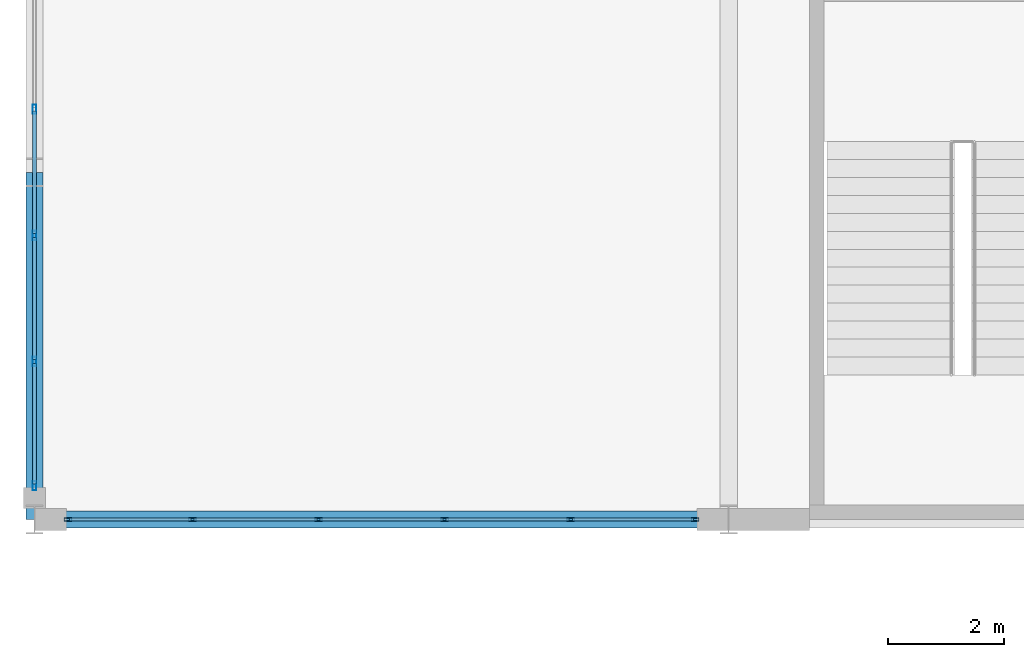
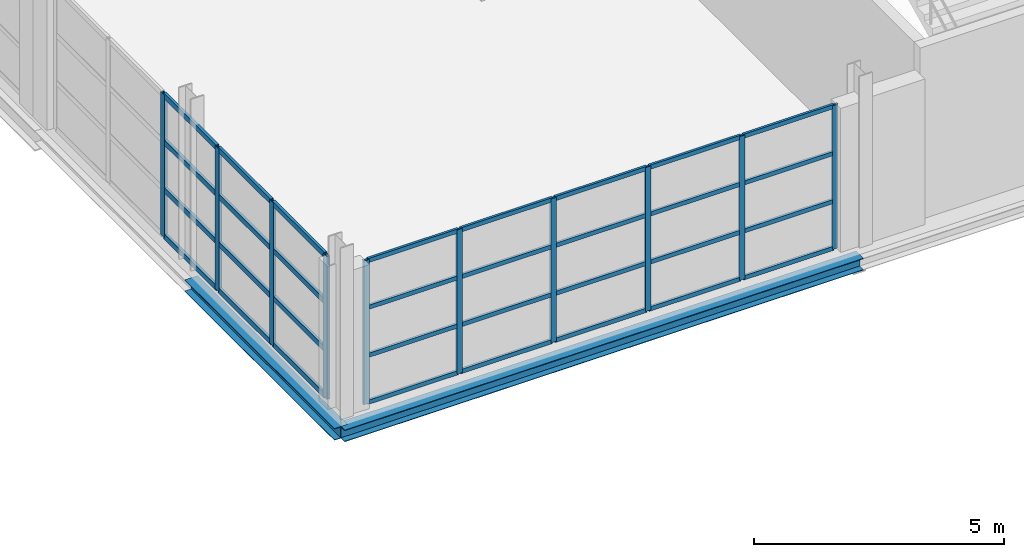
# One storey, part 29 of 158: 42 members, 2 beams, 2 elements without a shape of their own.
"""IFC4 building model written with IfcOpenShell, lengths in metres."""

from ifc_helpers import new_model, si_unit, direction, frame, origin, origin_2d, place, context, subcontext, project, spatial, hollow_rectangle, i_section, extrude, material, layer, layer_set, material_profile, profile_set, type_object, element, aggregate, save


model = new_model("IFC4")

# Units and contexts
model_context = context("Model", 3, precision=1e-05, world=origin(), true_north=direction((0.0, 1.0)))
body_context = subcontext(model_context, "Body", "Model", "MODEL_VIEW")
ifc_project = project(units=[si_unit("LENGTHUNIT", "METRE"), si_unit("AREAUNIT", "SQUARE_METRE"), si_unit("VOLUMEUNIT", "CUBIC_METRE"), si_unit("PLANEANGLEUNIT", "RADIAN"), si_unit("MASSUNIT", "GRAM", prefix="KILO")], contexts=[model_context])

# Site, building, storey
site_placement = place(None, origin())
site = spatial("IfcSite", under=ifc_project, at=site_placement, CompositionType="ELEMENT")
building_placement = place(site_placement, origin())
building = spatial("IfcBuilding", under=site, at=building_placement, Name="Zilviju Railside Exhibition Hall", CompositionType="ELEMENT")
storey_placement = place(building_placement, frame((0.0, 0.0, 4.199951171875)))
storey = spatial("IfcBuildingStorey", under=building, at=storey_placement, Name="L02", CompositionType="ELEMENT", Elevation=4.199951171875)

# Beams
ifc_material_1 = material(Name="Steel S355J2", Category="steel")
ifc_material_profile_1 = material_profile(ifc_material_1, i_section(OverallWidth=0.300048828125, OverallDepth=0.2900390625, WebThickness=0.008544921875, FlangeThickness=0.013916015625, at=origin_2d()), Name="HEA 300")
ifc_profile_set_1 = profile_set([ifc_material_profile_1], Name="Steel S355J2")
beam_type = type_object("IfcBeamType", Name="BM-HEA300", PredefinedType="SPANDREL", material=ifc_profile_set_1)
beam_1_placement = place(storey_placement, frame((0.0, 36.0, -0.5048828125), z_axis=(1.0, 0.0, 0.0), x_axis=(0.0, 1.0, 0.0)))
element("IfcBeam", 1, at=beam_1_placement, inside=storey, type_object=beam_type, Name="Primary Girder L02 Y=36.0 (0.0..12.0)", PredefinedType="SPANDREL", context=body_context, shape_type="SweptSolid", body=[
    extrude(i_section(OverallWidth=0.300048828125, OverallDepth=0.2900390625, WebThickness=0.008544921875, FlangeThickness=0.013916015625, at=origin_2d()), origin(), (0.0, 0.0, 1.0), 12.0),
])
beam_2_placement = place(storey_placement, frame((0.0, 36.0, -0.5048828125), z_axis=(0.0, 1.0, 0.0), x_axis=(-1.0, 0.0, 0.0)))
element("IfcBeam", 2, at=beam_2_placement, inside=storey, type_object=beam_type, Name="Transverse Girder L02 X=0.0 (36.0..42.0)", PredefinedType="SPANDREL", context=body_context, shape_type="SweptSolid", body=[
    extrude(i_section(OverallWidth=0.300048828125, OverallDepth=0.2900390625, WebThickness=0.008544921875, FlangeThickness=0.013916015625, at=origin_2d()), origin(), (0.0, 0.0, 1.0), 6.0),
])

# Curtain wall, members
ifc_material_2 = material(Name="Thermally broken aluminium-steel triple-glazed curtain wall", Category="steel")
ifc_layer_1 = layer(ifc_material_2, 0.179931640625)
ifc_layer_set_1 = layer_set([ifc_layer_1], Name="Thermally broken aluminium-steel triple-glazed curtain wall")
curtain_wall_type_1 = type_object("IfcCurtainWallType", Name="CW-BAY-16", PredefinedType="USERDEFINED", material=ifc_layer_set_1)
curtain_wall_1_placement = place(storey_placement, origin())
curtain_wall_1 = element("IfcCurtainWall", 3, at=curtain_wall_1_placement, inside=storey, type_object=curtain_wall_type_1, Name="Congress Forecourt Curtain Wall L02 (0..12)", ObjectType="GLAZED CURTAIN WALL", PredefinedType="USERDEFINED")
ifc_material_3 = material(Name="Thermally broken anodized aluminium mullion", Category="aluminium")
ifc_material_profile_2 = material_profile(ifc_material_3, hollow_rectangle(XDim=0.054931640625, YDim=0.1298828125, WallThickness=0.0048828125, at=origin_2d()), Name="MULLION 130x55x5")
ifc_profile_set_2 = profile_set([ifc_material_profile_2], Name="Thermally broken anodized aluminium mullion")
member_type_1 = type_object("IfcMemberType", Name="CWM-55x130", PredefinedType="MULLION", material=ifc_profile_set_2)
member_1_placement = place(storey_placement, frame((11.422607421875, 36.0, 0.0), z_axis=(0.0, 0.0, 1.0), x_axis=(0.0, -1.0, 0.0)))
member_1 = element("IfcMember", 4, at=member_1_placement, type_object=member_type_1, Name="CW-16 mullion 1", PredefinedType="MULLION", context=body_context, shape_type="SweptSolid", body=[
    extrude(hollow_rectangle(XDim=0.054931640625, YDim=0.1298828125, WallThickness=0.0048828125, at=origin_2d()), origin(), (0.0, 0.0, 1.0), 3.52001953125),
])
member_2_placement = place(storey_placement, frame((9.27001953125, 36.0, 0.0), z_axis=(0.0, 0.0, 1.0), x_axis=(0.0, -1.0, 0.0)))
member_2 = element("IfcMember", 5, at=member_2_placement, type_object=member_type_1, Name="CW-16 mullion 2", PredefinedType="MULLION", context=body_context, shape_type="SweptSolid", body=[
    extrude(hollow_rectangle(XDim=0.054931640625, YDim=0.1298828125, WallThickness=0.0048828125, at=origin_2d()), origin(), (0.0, 0.0, 1.0), 3.52001953125),
])
member_3_placement = place(storey_placement, frame((7.090087890625, 36.0, 0.0), z_axis=(0.0, 0.0, 1.0), x_axis=(0.0, -1.0, 0.0)))
member_3 = element("IfcMember", 6, at=member_3_placement, type_object=member_type_1, Name="CW-16 mullion 3", PredefinedType="MULLION", context=body_context, shape_type="SweptSolid", body=[
    extrude(hollow_rectangle(XDim=0.054931640625, YDim=0.1298828125, WallThickness=0.0048828125, at=origin_2d()), origin(), (0.0, 0.0, 1.0), 3.52001953125),
])
member_4_placement = place(storey_placement, frame((4.909912109375, 36.0, 0.0), z_axis=(0.0, 0.0, 1.0), x_axis=(0.0, -1.0, 0.0)))
member_4 = element("IfcMember", 7, at=member_4_placement, type_object=member_type_1, Name="CW-16 mullion 4", PredefinedType="MULLION", context=body_context, shape_type="SweptSolid", body=[
    extrude(hollow_rectangle(XDim=0.054931640625, YDim=0.1298828125, WallThickness=0.0048828125, at=origin_2d()), origin(), (0.0, 0.0, 1.0), 3.52001953125),
])
member_5_placement = place(storey_placement, frame((2.72998046875, 36.0, 0.0), z_axis=(0.0, 0.0, 1.0), x_axis=(0.0, -1.0, 0.0)))
member_5 = element("IfcMember", 8, at=member_5_placement, type_object=member_type_1, Name="CW-16 mullion 5", PredefinedType="MULLION", context=body_context, shape_type="SweptSolid", body=[
    extrude(hollow_rectangle(XDim=0.054931640625, YDim=0.1298828125, WallThickness=0.0048828125, at=origin_2d()), origin(), (0.0, 0.0, 1.0), 3.52001953125),
])
member_6_placement = place(storey_placement, frame((0.577392578125, 36.0, 0.0), z_axis=(0.0, 0.0, 1.0), x_axis=(0.0, -1.0, 0.0)))
member_6 = element("IfcMember", 9, at=member_6_placement, type_object=member_type_1, Name="CW-16 mullion 6", PredefinedType="MULLION", context=body_context, shape_type="SweptSolid", body=[
    extrude(hollow_rectangle(XDim=0.054931640625, YDim=0.1298828125, WallThickness=0.0048828125, at=origin_2d()), origin(), (0.0, 0.0, 1.0), 3.52001953125),
])

ifc_layer_2 = layer(ifc_material_2, 0.179931640625)
ifc_layer_set_2 = layer_set([ifc_layer_2], Name="Thermally broken aluminium-steel triple-glazed curtain wall")
curtain_wall_type_2 = type_object("IfcCurtainWallType", Name="CW-BAY-18", PredefinedType="USERDEFINED", material=ifc_layer_set_2)
curtain_wall_2_placement = place(storey_placement, origin())
curtain_wall_2 = element("IfcCurtainWall", 10, at=curtain_wall_2_placement, inside=storey, type_object=curtain_wall_type_2, Name="Congress Crush Foyer Boulevard Curtain Wall L02 (36..48)", ObjectType="GLAZED CURTAIN WALL", PredefinedType="USERDEFINED")
ifc_material_profile_3 = material_profile(ifc_material_3, hollow_rectangle(XDim=0.06494140625, YDim=0.159912109375, WallThickness=0.0048828125, at=origin_2d()), Name="MULLION 160x65x5")
ifc_profile_set_3 = profile_set([ifc_material_profile_3], Name="Thermally broken anodized aluminium mullion")
member_type_2 = type_object("IfcMemberType", Name="CWM-65x160", PredefinedType="MULLION", material=ifc_profile_set_3)
member_7_placement = place(storey_placement, frame((0.0, 36.58251953125, 0.0), z_axis=(0.0, 0.0, 1.0), x_axis=(-1.0, 0.0, 0.0)))
member_7 = element("IfcMember", 11, at=member_7_placement, type_object=member_type_2, Name="CW-18 mullion 1", PredefinedType="MULLION", context=body_context, shape_type="SweptSolid", body=[
    extrude(hollow_rectangle(XDim=0.06494140625, YDim=0.159912109375, WallThickness=0.0048828125, at=origin_2d()), origin(), (0.0, 0.0, 1.0), 3.5),
])
member_8_placement = place(storey_placement, frame((0.0, 38.72998046875, 0.0), z_axis=(0.0, 0.0, 1.0), x_axis=(-1.0, 0.0, 0.0)))
member_8 = element("IfcMember", 12, at=member_8_placement, type_object=member_type_2, Name="CW-18 mullion 2", PredefinedType="MULLION", context=body_context, shape_type="SweptSolid", body=[
    extrude(hollow_rectangle(XDim=0.06494140625, YDim=0.159912109375, WallThickness=0.0048828125, at=origin_2d()), origin(), (0.0, 0.0, 1.0), 3.5),
])
member_9_placement = place(storey_placement, frame((0.0, 40.909912109375, 0.0), z_axis=(0.0, 0.0, 1.0), x_axis=(-1.0, 0.0, 0.0)))
member_9 = element("IfcMember", 13, at=member_9_placement, type_object=member_type_2, Name="CW-18 mullion 3", PredefinedType="MULLION", context=body_context, shape_type="SweptSolid", body=[
    extrude(hollow_rectangle(XDim=0.06494140625, YDim=0.159912109375, WallThickness=0.0048828125, at=origin_2d()), origin(), (0.0, 0.0, 1.0), 3.5),
])
member_10_placement = place(storey_placement, frame((0.0, 43.090087890625, 0.0), z_axis=(0.0, 0.0, 1.0), x_axis=(-1.0, 0.0, 0.0)))
member_10 = element("IfcMember", 14, at=member_10_placement, type_object=member_type_2, Name="CW-18 mullion 4", PredefinedType="MULLION", context=body_context, shape_type="SweptSolid", body=[
    extrude(hollow_rectangle(XDim=0.06494140625, YDim=0.159912109375, WallThickness=0.0048828125, at=origin_2d()), origin(), (0.0, 0.0, 1.0), 3.5),
])

# Member
ifc_material_4 = material(Name="Thermally broken anodized aluminium transom", Category="aluminium")
ifc_material_profile_4 = material_profile(ifc_material_4, hollow_rectangle(XDim=0.054931640625, YDim=0.10498046875, WallThickness=0.0048828125, at=origin_2d()), Name="TRANSOM 105x55x5")
ifc_profile_set_4 = profile_set([ifc_material_profile_4], Name="Thermally broken anodized aluminium transom")
member_type_3 = type_object("IfcMemberType", Name="CWT-55x105", PredefinedType="USERDEFINED", material=ifc_profile_set_4)
member_11_placement = place(storey_placement, frame((11.39501953125, 36.0, 0.027587890625), z_axis=(-1.0, 0.0, 0.0), x_axis=(0.0, -1.0, 0.0)))
member_11 = element("IfcMember", 15, at=member_11_placement, type_object=member_type_3, Name="CW-16 transom 1.1", ObjectType="TRANSOM", PredefinedType="USERDEFINED", context=body_context, shape_type="SweptSolid", body=[
    extrude(hollow_rectangle(XDim=0.054931640625, YDim=0.10498046875, WallThickness=0.0048828125, at=origin_2d()), origin(), (0.0, 0.0, 1.0), 2.097412109375),
])

member_12_placement = place(storey_placement, frame((11.39501953125, 36.0, 1.173095703125), z_axis=(-1.0, 0.0, 0.0), x_axis=(0.0, -1.0, 0.0)))
member_12 = element("IfcMember", 16, at=member_12_placement, type_object=member_type_3, Name="CW-16 transom 1.2", ObjectType="TRANSOM", PredefinedType="USERDEFINED", context=body_context, shape_type="SweptSolid", body=[
    extrude(hollow_rectangle(XDim=0.054931640625, YDim=0.10498046875, WallThickness=0.0048828125, at=origin_2d()), origin(), (0.0, 0.0, 1.0), 2.097412109375),
])

member_13_placement = place(storey_placement, frame((11.39501953125, 36.0, 2.34716796875), z_axis=(-1.0, 0.0, 0.0), x_axis=(0.0, -1.0, 0.0)))
member_13 = element("IfcMember", 17, at=member_13_placement, type_object=member_type_3, Name="CW-16 transom 1.3", ObjectType="TRANSOM", PredefinedType="USERDEFINED", context=body_context, shape_type="SweptSolid", body=[
    extrude(hollow_rectangle(XDim=0.054931640625, YDim=0.10498046875, WallThickness=0.0048828125, at=origin_2d()), origin(), (0.0, 0.0, 1.0), 2.097412109375),
])

member_14_placement = place(storey_placement, frame((11.39501953125, 36.0, 3.492431640625), z_axis=(-1.0, 0.0, 0.0), x_axis=(0.0, -1.0, 0.0)))
member_14 = element("IfcMember", 18, at=member_14_placement, type_object=member_type_3, Name="CW-16 transom 1.4", ObjectType="TRANSOM", PredefinedType="USERDEFINED", context=body_context, shape_type="SweptSolid", body=[
    extrude(hollow_rectangle(XDim=0.054931640625, YDim=0.10498046875, WallThickness=0.0048828125, at=origin_2d()), origin(), (0.0, 0.0, 1.0), 2.097412109375),
])

member_15_placement = place(storey_placement, frame((9.242431640625, 36.0, 0.027587890625), z_axis=(-1.0, 0.0, 0.0), x_axis=(0.0, -1.0, 0.0)))
member_15 = element("IfcMember", 19, at=member_15_placement, type_object=member_type_3, Name="CW-16 transom 2.1", ObjectType="TRANSOM", PredefinedType="USERDEFINED", context=body_context, shape_type="SweptSolid", body=[
    extrude(hollow_rectangle(XDim=0.054931640625, YDim=0.10498046875, WallThickness=0.0048828125, at=origin_2d()), origin(), (0.0, 0.0, 1.0), 2.125),
])

member_16_placement = place(storey_placement, frame((9.242431640625, 36.0, 1.173095703125), z_axis=(-1.0, 0.0, 0.0), x_axis=(0.0, -1.0, 0.0)))
member_16 = element("IfcMember", 20, at=member_16_placement, type_object=member_type_3, Name="CW-16 transom 2.2", ObjectType="TRANSOM", PredefinedType="USERDEFINED", context=body_context, shape_type="SweptSolid", body=[
    extrude(hollow_rectangle(XDim=0.054931640625, YDim=0.10498046875, WallThickness=0.0048828125, at=origin_2d()), origin(), (0.0, 0.0, 1.0), 2.125),
])

member_17_placement = place(storey_placement, frame((9.242431640625, 36.0, 2.34716796875), z_axis=(-1.0, 0.0, 0.0), x_axis=(0.0, -1.0, 0.0)))
member_17 = element("IfcMember", 21, at=member_17_placement, type_object=member_type_3, Name="CW-16 transom 2.3", ObjectType="TRANSOM", PredefinedType="USERDEFINED", context=body_context, shape_type="SweptSolid", body=[
    extrude(hollow_rectangle(XDim=0.054931640625, YDim=0.10498046875, WallThickness=0.0048828125, at=origin_2d()), origin(), (0.0, 0.0, 1.0), 2.125),
])

member_18_placement = place(storey_placement, frame((9.242431640625, 36.0, 3.492431640625), z_axis=(-1.0, 0.0, 0.0), x_axis=(0.0, -1.0, 0.0)))
member_18 = element("IfcMember", 22, at=member_18_placement, type_object=member_type_3, Name="CW-16 transom 2.4", ObjectType="TRANSOM", PredefinedType="USERDEFINED", context=body_context, shape_type="SweptSolid", body=[
    extrude(hollow_rectangle(XDim=0.054931640625, YDim=0.10498046875, WallThickness=0.0048828125, at=origin_2d()), origin(), (0.0, 0.0, 1.0), 2.125),
])

member_19_placement = place(storey_placement, frame((7.0625, 36.0, 0.027587890625), z_axis=(-1.0, 0.0, 0.0), x_axis=(0.0, -1.0, 0.0)))
member_19 = element("IfcMember", 23, at=member_19_placement, type_object=member_type_3, Name="CW-16 transom 3.1", ObjectType="TRANSOM", PredefinedType="USERDEFINED", context=body_context, shape_type="SweptSolid", body=[
    extrude(hollow_rectangle(XDim=0.054931640625, YDim=0.10498046875, WallThickness=0.0048828125, at=origin_2d()), origin(), (0.0, 0.0, 1.0), 2.125),
])

member_20_placement = place(storey_placement, frame((7.0625, 36.0, 1.173095703125), z_axis=(-1.0, 0.0, 0.0), x_axis=(0.0, -1.0, 0.0)))
member_20 = element("IfcMember", 24, at=member_20_placement, type_object=member_type_3, Name="CW-16 transom 3.2", ObjectType="TRANSOM", PredefinedType="USERDEFINED", context=body_context, shape_type="SweptSolid", body=[
    extrude(hollow_rectangle(XDim=0.054931640625, YDim=0.10498046875, WallThickness=0.0048828125, at=origin_2d()), origin(), (0.0, 0.0, 1.0), 2.125),
])

member_21_placement = place(storey_placement, frame((7.0625, 36.0, 2.34716796875), z_axis=(-1.0, 0.0, 0.0), x_axis=(0.0, -1.0, 0.0)))
member_21 = element("IfcMember", 25, at=member_21_placement, type_object=member_type_3, Name="CW-16 transom 3.3", ObjectType="TRANSOM", PredefinedType="USERDEFINED", context=body_context, shape_type="SweptSolid", body=[
    extrude(hollow_rectangle(XDim=0.054931640625, YDim=0.10498046875, WallThickness=0.0048828125, at=origin_2d()), origin(), (0.0, 0.0, 1.0), 2.125),
])

member_22_placement = place(storey_placement, frame((7.0625, 36.0, 3.492431640625), z_axis=(-1.0, 0.0, 0.0), x_axis=(0.0, -1.0, 0.0)))
member_22 = element("IfcMember", 26, at=member_22_placement, type_object=member_type_3, Name="CW-16 transom 3.4", ObjectType="TRANSOM", PredefinedType="USERDEFINED", context=body_context, shape_type="SweptSolid", body=[
    extrude(hollow_rectangle(XDim=0.054931640625, YDim=0.10498046875, WallThickness=0.0048828125, at=origin_2d()), origin(), (0.0, 0.0, 1.0), 2.125),
])

member_23_placement = place(storey_placement, frame((4.882568359375, 36.0, 0.027587890625), z_axis=(-1.0, 0.0, 0.0), x_axis=(0.0, -1.0, 0.0)))
member_23 = element("IfcMember", 27, at=member_23_placement, type_object=member_type_3, Name="CW-16 transom 4.1", ObjectType="TRANSOM", PredefinedType="USERDEFINED", context=body_context, shape_type="SweptSolid", body=[
    extrude(hollow_rectangle(XDim=0.054931640625, YDim=0.10498046875, WallThickness=0.0048828125, at=origin_2d()), origin(), (0.0, 0.0, 1.0), 2.125),
])

member_24_placement = place(storey_placement, frame((4.882568359375, 36.0, 1.173095703125), z_axis=(-1.0, 0.0, 0.0), x_axis=(0.0, -1.0, 0.0)))
member_24 = element("IfcMember", 28, at=member_24_placement, type_object=member_type_3, Name="CW-16 transom 4.2", ObjectType="TRANSOM", PredefinedType="USERDEFINED", context=body_context, shape_type="SweptSolid", body=[
    extrude(hollow_rectangle(XDim=0.054931640625, YDim=0.10498046875, WallThickness=0.0048828125, at=origin_2d()), origin(), (0.0, 0.0, 1.0), 2.125),
])

member_25_placement = place(storey_placement, frame((4.882568359375, 36.0, 2.34716796875), z_axis=(-1.0, 0.0, 0.0), x_axis=(0.0, -1.0, 0.0)))
member_25 = element("IfcMember", 29, at=member_25_placement, type_object=member_type_3, Name="CW-16 transom 4.3", ObjectType="TRANSOM", PredefinedType="USERDEFINED", context=body_context, shape_type="SweptSolid", body=[
    extrude(hollow_rectangle(XDim=0.054931640625, YDim=0.10498046875, WallThickness=0.0048828125, at=origin_2d()), origin(), (0.0, 0.0, 1.0), 2.125),
])

member_26_placement = place(storey_placement, frame((4.882568359375, 36.0, 3.492431640625), z_axis=(-1.0, 0.0, 0.0), x_axis=(0.0, -1.0, 0.0)))
member_26 = element("IfcMember", 30, at=member_26_placement, type_object=member_type_3, Name="CW-16 transom 4.4", ObjectType="TRANSOM", PredefinedType="USERDEFINED", context=body_context, shape_type="SweptSolid", body=[
    extrude(hollow_rectangle(XDim=0.054931640625, YDim=0.10498046875, WallThickness=0.0048828125, at=origin_2d()), origin(), (0.0, 0.0, 1.0), 2.125),
])

member_27_placement = place(storey_placement, frame((2.702392578125, 36.0, 0.027587890625), z_axis=(-1.0, 0.0, 0.0), x_axis=(0.0, -1.0, 0.0)))
member_27 = element("IfcMember", 31, at=member_27_placement, type_object=member_type_3, Name="CW-16 transom 5.1", ObjectType="TRANSOM", PredefinedType="USERDEFINED", context=body_context, shape_type="SweptSolid", body=[
    extrude(hollow_rectangle(XDim=0.054931640625, YDim=0.10498046875, WallThickness=0.0048828125, at=origin_2d()), origin(), (0.0, 0.0, 1.0), 2.097412109375),
])

member_28_placement = place(storey_placement, frame((2.702392578125, 36.0, 1.173095703125), z_axis=(-1.0, 0.0, 0.0), x_axis=(0.0, -1.0, 0.0)))
member_28 = element("IfcMember", 32, at=member_28_placement, type_object=member_type_3, Name="CW-16 transom 5.2", ObjectType="TRANSOM", PredefinedType="USERDEFINED", context=body_context, shape_type="SweptSolid", body=[
    extrude(hollow_rectangle(XDim=0.054931640625, YDim=0.10498046875, WallThickness=0.0048828125, at=origin_2d()), origin(), (0.0, 0.0, 1.0), 2.097412109375),
])

member_29_placement = place(storey_placement, frame((2.702392578125, 36.0, 2.34716796875), z_axis=(-1.0, 0.0, 0.0), x_axis=(0.0, -1.0, 0.0)))
member_29 = element("IfcMember", 33, at=member_29_placement, type_object=member_type_3, Name="CW-16 transom 5.3", ObjectType="TRANSOM", PredefinedType="USERDEFINED", context=body_context, shape_type="SweptSolid", body=[
    extrude(hollow_rectangle(XDim=0.054931640625, YDim=0.10498046875, WallThickness=0.0048828125, at=origin_2d()), origin(), (0.0, 0.0, 1.0), 2.097412109375),
])

member_30_placement = place(storey_placement, frame((2.702392578125, 36.0, 3.492431640625), z_axis=(-1.0, 0.0, 0.0), x_axis=(0.0, -1.0, 0.0)))
member_30 = element("IfcMember", 34, at=member_30_placement, type_object=member_type_3, Name="CW-16 transom 5.4", ObjectType="TRANSOM", PredefinedType="USERDEFINED", context=body_context, shape_type="SweptSolid", body=[
    extrude(hollow_rectangle(XDim=0.054931640625, YDim=0.10498046875, WallThickness=0.0048828125, at=origin_2d()), origin(), (0.0, 0.0, 1.0), 2.097412109375),
])

aggregate(curtain_wall_1, [member_1, member_2, member_3, member_4, member_5, member_6, member_11, member_12, member_13, member_14, member_15, member_16, member_17, member_18, member_19, member_20, member_21, member_22, member_23, member_24, member_25, member_26, member_27, member_28, member_29, member_30])

ifc_material_profile_5 = material_profile(ifc_material_4, hollow_rectangle(XDim=0.06494140625, YDim=0.1298828125, WallThickness=0.0048828125, at=origin_2d()), Name="TRANSOM 130x65x5")
ifc_profile_set_5 = profile_set([ifc_material_profile_5], Name="Thermally broken anodized aluminium transom")
member_type_4 = type_object("IfcMemberType", Name="CWT-65x130", PredefinedType="USERDEFINED", material=ifc_profile_set_5)
member_31_placement = place(storey_placement, frame((0.0, 36.614990234375, 0.032470703125), z_axis=(0.0, 1.0, 0.0), x_axis=(-1.0, 0.0, 0.0)))
member_31 = element("IfcMember", 35, at=member_31_placement, type_object=member_type_4, Name="CW-18 transom 1.1", ObjectType="TRANSOM", PredefinedType="USERDEFINED", context=body_context, shape_type="SweptSolid", body=[
    extrude(hollow_rectangle(XDim=0.06494140625, YDim=0.1298828125, WallThickness=0.0048828125, at=origin_2d()), origin(), (0.0, 0.0, 1.0), 2.08251953125),
])

member_32_placement = place(storey_placement, frame((0.0, 36.614990234375, 1.1669921875), z_axis=(0.0, 1.0, 0.0), x_axis=(-1.0, 0.0, 0.0)))
member_32 = element("IfcMember", 36, at=member_32_placement, type_object=member_type_4, Name="CW-18 transom 1.2", ObjectType="TRANSOM", PredefinedType="USERDEFINED", context=body_context, shape_type="SweptSolid", body=[
    extrude(hollow_rectangle(XDim=0.06494140625, YDim=0.1298828125, WallThickness=0.0048828125, at=origin_2d()), origin(), (0.0, 0.0, 1.0), 2.08251953125),
])

member_33_placement = place(storey_placement, frame((0.0, 36.614990234375, 2.3330078125), z_axis=(0.0, 1.0, 0.0), x_axis=(-1.0, 0.0, 0.0)))
member_33 = element("IfcMember", 37, at=member_33_placement, type_object=member_type_4, Name="CW-18 transom 1.3", ObjectType="TRANSOM", PredefinedType="USERDEFINED", context=body_context, shape_type="SweptSolid", body=[
    extrude(hollow_rectangle(XDim=0.06494140625, YDim=0.1298828125, WallThickness=0.0048828125, at=origin_2d()), origin(), (0.0, 0.0, 1.0), 2.08251953125),
])

member_34_placement = place(storey_placement, frame((0.0, 36.614990234375, 3.467529296875), z_axis=(0.0, 1.0, 0.0), x_axis=(-1.0, 0.0, 0.0)))
member_34 = element("IfcMember", 38, at=member_34_placement, type_object=member_type_4, Name="CW-18 transom 1.4", ObjectType="TRANSOM", PredefinedType="USERDEFINED", context=body_context, shape_type="SweptSolid", body=[
    extrude(hollow_rectangle(XDim=0.06494140625, YDim=0.1298828125, WallThickness=0.0048828125, at=origin_2d()), origin(), (0.0, 0.0, 1.0), 2.08251953125),
])

member_35_placement = place(storey_placement, frame((0.0, 38.762451171875, 0.032470703125), z_axis=(0.0, 1.0, 0.0), x_axis=(-1.0, 0.0, 0.0)))
member_35 = element("IfcMember", 39, at=member_35_placement, type_object=member_type_4, Name="CW-18 transom 2.1", ObjectType="TRANSOM", PredefinedType="USERDEFINED", context=body_context, shape_type="SweptSolid", body=[
    extrude(hollow_rectangle(XDim=0.06494140625, YDim=0.1298828125, WallThickness=0.0048828125, at=origin_2d()), origin(), (0.0, 0.0, 1.0), 2.114990234375),
])

member_36_placement = place(storey_placement, frame((0.0, 38.762451171875, 1.1669921875), z_axis=(0.0, 1.0, 0.0), x_axis=(-1.0, 0.0, 0.0)))
member_36 = element("IfcMember", 40, at=member_36_placement, type_object=member_type_4, Name="CW-18 transom 2.2", ObjectType="TRANSOM", PredefinedType="USERDEFINED", context=body_context, shape_type="SweptSolid", body=[
    extrude(hollow_rectangle(XDim=0.06494140625, YDim=0.1298828125, WallThickness=0.0048828125, at=origin_2d()), origin(), (0.0, 0.0, 1.0), 2.114990234375),
])

member_37_placement = place(storey_placement, frame((0.0, 38.762451171875, 2.3330078125), z_axis=(0.0, 1.0, 0.0), x_axis=(-1.0, 0.0, 0.0)))
member_37 = element("IfcMember", 41, at=member_37_placement, type_object=member_type_4, Name="CW-18 transom 2.3", ObjectType="TRANSOM", PredefinedType="USERDEFINED", context=body_context, shape_type="SweptSolid", body=[
    extrude(hollow_rectangle(XDim=0.06494140625, YDim=0.1298828125, WallThickness=0.0048828125, at=origin_2d()), origin(), (0.0, 0.0, 1.0), 2.114990234375),
])

member_38_placement = place(storey_placement, frame((0.0, 38.762451171875, 3.467529296875), z_axis=(0.0, 1.0, 0.0), x_axis=(-1.0, 0.0, 0.0)))
member_38 = element("IfcMember", 42, at=member_38_placement, type_object=member_type_4, Name="CW-18 transom 2.4", ObjectType="TRANSOM", PredefinedType="USERDEFINED", context=body_context, shape_type="SweptSolid", body=[
    extrude(hollow_rectangle(XDim=0.06494140625, YDim=0.1298828125, WallThickness=0.0048828125, at=origin_2d()), origin(), (0.0, 0.0, 1.0), 2.114990234375),
])

member_39_placement = place(storey_placement, frame((0.0, 40.9423828125, 0.032470703125), z_axis=(0.0, 1.0, 0.0), x_axis=(-1.0, 0.0, 0.0)))
member_39 = element("IfcMember", 43, at=member_39_placement, type_object=member_type_4, Name="CW-18 transom 3.1", ObjectType="TRANSOM", PredefinedType="USERDEFINED", context=body_context, shape_type="SweptSolid", body=[
    extrude(hollow_rectangle(XDim=0.06494140625, YDim=0.1298828125, WallThickness=0.0048828125, at=origin_2d()), origin(), (0.0, 0.0, 1.0), 2.115234375),
])

member_40_placement = place(storey_placement, frame((0.0, 40.9423828125, 1.1669921875), z_axis=(0.0, 1.0, 0.0), x_axis=(-1.0, 0.0, 0.0)))
member_40 = element("IfcMember", 44, at=member_40_placement, type_object=member_type_4, Name="CW-18 transom 3.2", ObjectType="TRANSOM", PredefinedType="USERDEFINED", context=body_context, shape_type="SweptSolid", body=[
    extrude(hollow_rectangle(XDim=0.06494140625, YDim=0.1298828125, WallThickness=0.0048828125, at=origin_2d()), origin(), (0.0, 0.0, 1.0), 2.115234375),
])

member_41_placement = place(storey_placement, frame((0.0, 40.9423828125, 2.3330078125), z_axis=(0.0, 1.0, 0.0), x_axis=(-1.0, 0.0, 0.0)))
member_41 = element("IfcMember", 45, at=member_41_placement, type_object=member_type_4, Name="CW-18 transom 3.3", ObjectType="TRANSOM", PredefinedType="USERDEFINED", context=body_context, shape_type="SweptSolid", body=[
    extrude(hollow_rectangle(XDim=0.06494140625, YDim=0.1298828125, WallThickness=0.0048828125, at=origin_2d()), origin(), (0.0, 0.0, 1.0), 2.115234375),
])

member_42_placement = place(storey_placement, frame((0.0, 40.9423828125, 3.467529296875), z_axis=(0.0, 1.0, 0.0), x_axis=(-1.0, 0.0, 0.0)))
member_42 = element("IfcMember", 46, at=member_42_placement, type_object=member_type_4, Name="CW-18 transom 3.4", ObjectType="TRANSOM", PredefinedType="USERDEFINED", context=body_context, shape_type="SweptSolid", body=[
    extrude(hollow_rectangle(XDim=0.06494140625, YDim=0.1298828125, WallThickness=0.0048828125, at=origin_2d()), origin(), (0.0, 0.0, 1.0), 2.115234375),
])

aggregate(curtain_wall_2, [member_7, member_8, member_9, member_10, member_31, member_32, member_33, member_34, member_35, member_36, member_37, member_38, member_39, member_40, member_41, member_42])

save(model, "model.ifc")
